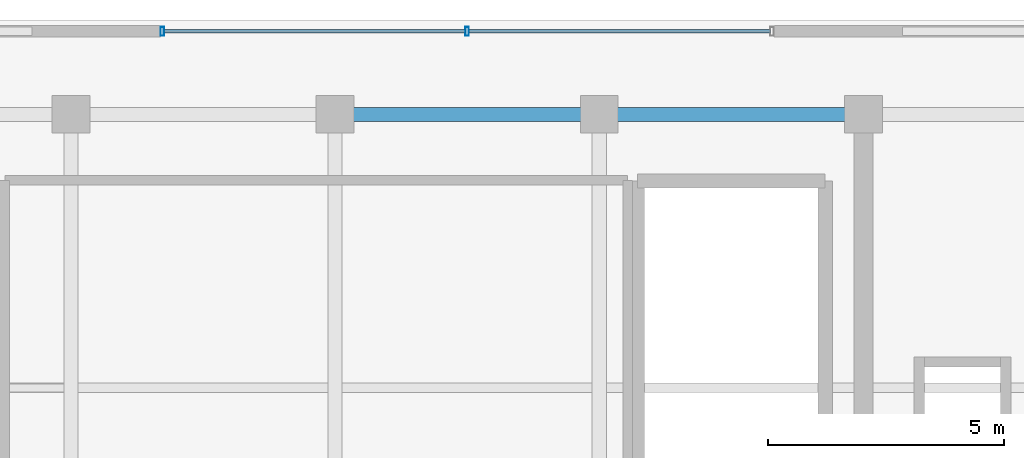
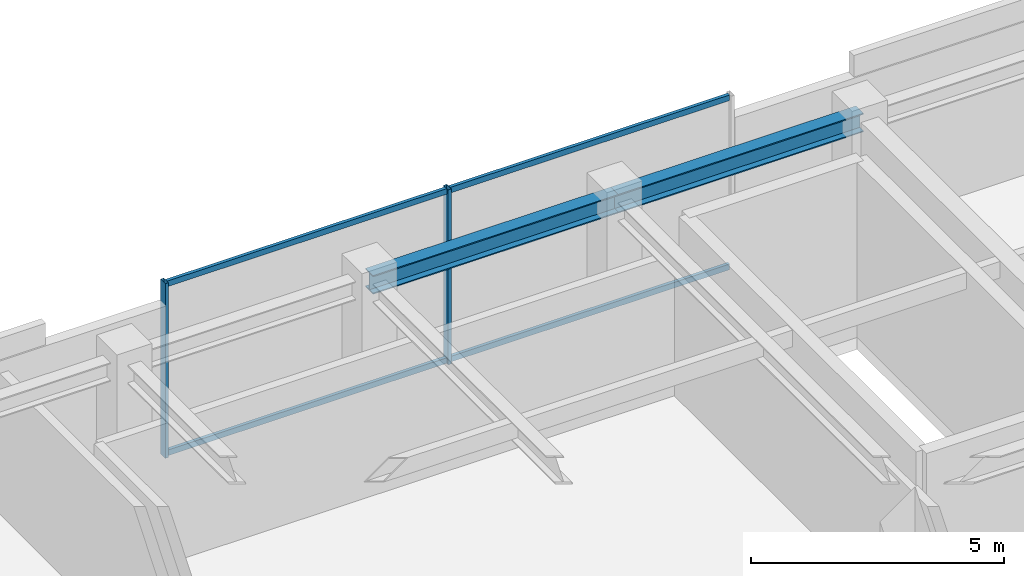
# One storey, part 14 of 21: 6 members, 2 beams, 1 element without a shape of its own.
"""IFC4 building model written with IfcOpenShell, lengths in metres."""

from ifc_helpers import new_model, si_unit, direction, frame, origin, origin_2d, place, context, subcontext, project, spatial, hollow_rectangle, i_section, extrude, source, transform, mapped, material, material_profile, profile_set, type_object, element, aggregate, save


model = new_model("IFC4")

# Units and contexts
model_context = context("Model", 3, precision=1e-05, world=origin(), true_north=direction((0.0, 1.0)))
body_context = subcontext(model_context, "Body", "Model", "MODEL_VIEW")
ifc_project = project(units=[si_unit("LENGTHUNIT", "METRE"), si_unit("AREAUNIT", "SQUARE_METRE"), si_unit("VOLUMEUNIT", "CUBIC_METRE"), si_unit("PLANEANGLEUNIT", "RADIAN"), si_unit("MASSUNIT", "GRAM", prefix="KILO")], contexts=[model_context])

# Site, building, storey
site_placement = place(None, origin())
site = spatial("IfcSite", under=ifc_project, at=site_placement, CompositionType="ELEMENT")
building_placement = place(site_placement, origin())
building = spatial("IfcBuilding", under=site, at=building_placement, Name="Nahalor Promenade Grand Hotel", CompositionType="ELEMENT")
storey_placement = place(building_placement, frame((0.0, 0.0, 370.85009765625)))
storey = spatial("IfcBuildingStorey", under=building, at=storey_placement, Name="L94", CompositionType="ELEMENT", Elevation=370.85009765625)

# Beams
ifc_material_1 = material(Name="Steel S355JR", Category="steel")
ifc_material_profile_1 = material_profile(ifc_material_1, i_section(OverallWidth=0.3, OverallDepth=0.45, WebThickness=0.014, FlangeThickness=0.026, at=origin_2d()), Name="HEB 450")
ifc_profile_set_1 = profile_set([ifc_material_profile_1], Name="Steel S355JR")
beam_type = type_object("IfcBeamType", Name="Beam-Girder-HEB450", PredefinedType="BEAM", material=ifc_profile_set_1)
shared_shape_1 = source(origin(), body_context, "Body", "SweptSolid", [
    extrude(i_section(OverallWidth=0.3, OverallDepth=0.45, WebThickness=0.014, FlangeThickness=0.026, at=origin_2d()), origin(), (0.0, 0.0, 1.0), 5.599853515625),
])
beam_1_placement = place(storey_placement, frame((2.800048828125, 17.0, 3.994873046875), z_axis=(1.0, 0.0, 0.0), x_axis=(0.0, 1.0, 0.0)))
element("IfcBeam", 1, at=beam_1_placement, inside=storey, type_object=beam_type, Name="BM-L94-GX-3-3", PredefinedType="BEAM", context=body_context, shape_type="MappedRepresentation", body=[
    mapped(shared_shape_1, transform((0.0, 0.0, 0.0), scale=1.0)),
])
shared_shape_2 = source(origin(), body_context, "Body", "SweptSolid", [
    extrude(i_section(OverallWidth=0.3, OverallDepth=0.45, WebThickness=0.014, FlangeThickness=0.026, at=origin_2d()), origin(), (0.0, 0.0, 1.0), 5.60009765625),
])
beam_2_placement = place(storey_placement, frame((-2.800048828125, 17.0, 3.994873046875), z_axis=(1.0, 0.0, 0.0), x_axis=(0.0, 1.0, 0.0)))
element("IfcBeam", 2, at=beam_2_placement, inside=storey, type_object=beam_type, Name="BM-L94-GX-3-2", PredefinedType="BEAM", context=body_context, shape_type="MappedRepresentation", body=[
    mapped(shared_shape_2, transform((0.0, 0.0, 0.0), scale=1.0)),
])

# Curtain wall, members
ifc_material_2 = material(Name="Anodised Bronze Aluminium EN AW-6063 T6", Category="aluminium")
curtain_wall_type = type_object("IfcCurtainWallType", Name="CW6 Crown Botanical Conservatory Curtain Wall", PredefinedType="USERDEFINED", material=ifc_material_2)
curtain_wall_placement = place(storey_placement, origin())
curtain_wall = element("IfcCurtainWall", 3, at=curtain_wall_placement, inside=storey, type_object=curtain_wall_type, Name="L94 Curtain Wall CW-L94-N", ObjectType="UNITISED_CURTAIN_WALL", PredefinedType="USERDEFINED")
ifc_material_profile_2 = material_profile(ifc_material_2, hollow_rectangle(XDim=0.075, YDim=0.135, WallThickness=0.004, at=origin_2d()), Name="CWT 75x135x4")
ifc_profile_set_2 = profile_set([ifc_material_profile_2], Name="Anodised Bronze Aluminium EN AW-6063 T6")
member_type_1 = type_object("IfcMemberType", Name="CWT6 Conservatory Transom 75x135", PredefinedType="USERDEFINED", material=ifc_profile_set_2)
shared_shape_3 = source(origin(), body_context, "Body", "SweptSolid", [
    extrude(hollow_rectangle(XDim=0.075, YDim=0.135, WallThickness=0.004, at=origin_2d()), origin(), (0.0, 0.0, 1.0), 6.387451171875),
])
member_1_placement = place(storey_placement, frame((-6.425048828125, 18.760009765625, 0.0673828125), z_axis=(1.0, 0.0, 0.0), x_axis=(0.0, 1.0, 0.0)))
member_1 = element("IfcMember", 4, at=member_1_placement, type_object=member_type_1, Name="CW-L94-N Transom 0-0", ObjectType="TRANSOM", PredefinedType="USERDEFINED", context=body_context, shape_type="MappedRepresentation", body=[
    mapped(shared_shape_3, transform((0.0, 0.0, 0.0), scale=1.0)),
])
member_2_placement = place(storey_placement, frame((-6.425048828125, 18.760009765625, 4.15234375), z_axis=(1.0, 0.0, 0.0), x_axis=(0.0, 1.0, 0.0)))
member_2 = element("IfcMember", 5, at=member_2_placement, type_object=member_type_1, Name="CW-L94-N Transom 0-1", ObjectType="TRANSOM", PredefinedType="USERDEFINED", context=body_context, shape_type="MappedRepresentation", body=[
    mapped(shared_shape_3, transform((0.0, 0.0, 0.0), scale=1.0)),
])
member_3_placement = place(storey_placement, frame((0.03759765625, 18.760009765625, 0.0673828125), z_axis=(1.0, 0.0, 0.0), x_axis=(0.0, 1.0, 0.0)))
member_3 = element("IfcMember", 6, at=member_3_placement, type_object=member_type_1, Name="CW-L94-N Transom 1-0", ObjectType="TRANSOM", PredefinedType="USERDEFINED", context=body_context, shape_type="MappedRepresentation", body=[
    mapped(shared_shape_3, transform((0.0, 0.0, 0.0), scale=1.0)),
])
member_4_placement = place(storey_placement, frame((0.03759765625, 18.760009765625, 4.15234375), z_axis=(1.0, 0.0, 0.0), x_axis=(0.0, 1.0, 0.0)))
member_4 = element("IfcMember", 7, at=member_4_placement, type_object=member_type_1, Name="CW-L94-N Transom 1-1", ObjectType="TRANSOM", PredefinedType="USERDEFINED", context=body_context, shape_type="MappedRepresentation", body=[
    mapped(shared_shape_3, transform((0.0, 0.0, 0.0), scale=1.0)),
])
ifc_material_profile_3 = material_profile(ifc_material_2, hollow_rectangle(XDim=0.075, YDim=0.19, WallThickness=0.005, at=origin_2d()), Name="CWM 75x190x5")
ifc_profile_set_3 = profile_set([ifc_material_profile_3], Name="Anodised Bronze Aluminium EN AW-6063 T6")
member_type_2 = type_object("IfcMemberType", Name="CWM6 Conservatory Bronze Mullion 75x190", PredefinedType="MULLION", material=ifc_profile_set_3)
shared_shape_4 = source(origin(), body_context, "Body", "SweptSolid", [
    extrude(hollow_rectangle(XDim=0.075, YDim=0.19, WallThickness=0.005, at=origin_2d()), origin(), (0.0, 0.0, 1.0), 4.219970703125),
])
member_5_placement = place(storey_placement, frame((-6.46240234375, 18.760009765625, 0.0), z_axis=(0.0, 0.0, 1.0), x_axis=(1.0, 0.0, 0.0)))
member_5 = element("IfcMember", 8, at=member_5_placement, type_object=member_type_2, Name="CW-L94-N Mullion 0", PredefinedType="MULLION", context=body_context, shape_type="MappedRepresentation", body=[
    mapped(shared_shape_4, transform((0.0, 0.0, 0.0), scale=1.0)),
])
member_6_placement = place(storey_placement, frame((0.0, 18.760009765625, 0.0), z_axis=(0.0, 0.0, 1.0), x_axis=(1.0, 0.0, 0.0)))
member_6 = element("IfcMember", 9, at=member_6_placement, type_object=member_type_2, Name="CW-L94-N Mullion 1", PredefinedType="MULLION", context=body_context, shape_type="MappedRepresentation", body=[
    mapped(shared_shape_4, transform((0.0, 0.0, 0.0), scale=1.0)),
])
aggregate(curtain_wall, [member_5, member_6, member_1, member_2, member_3, member_4])

save(model, "model.ifc")
